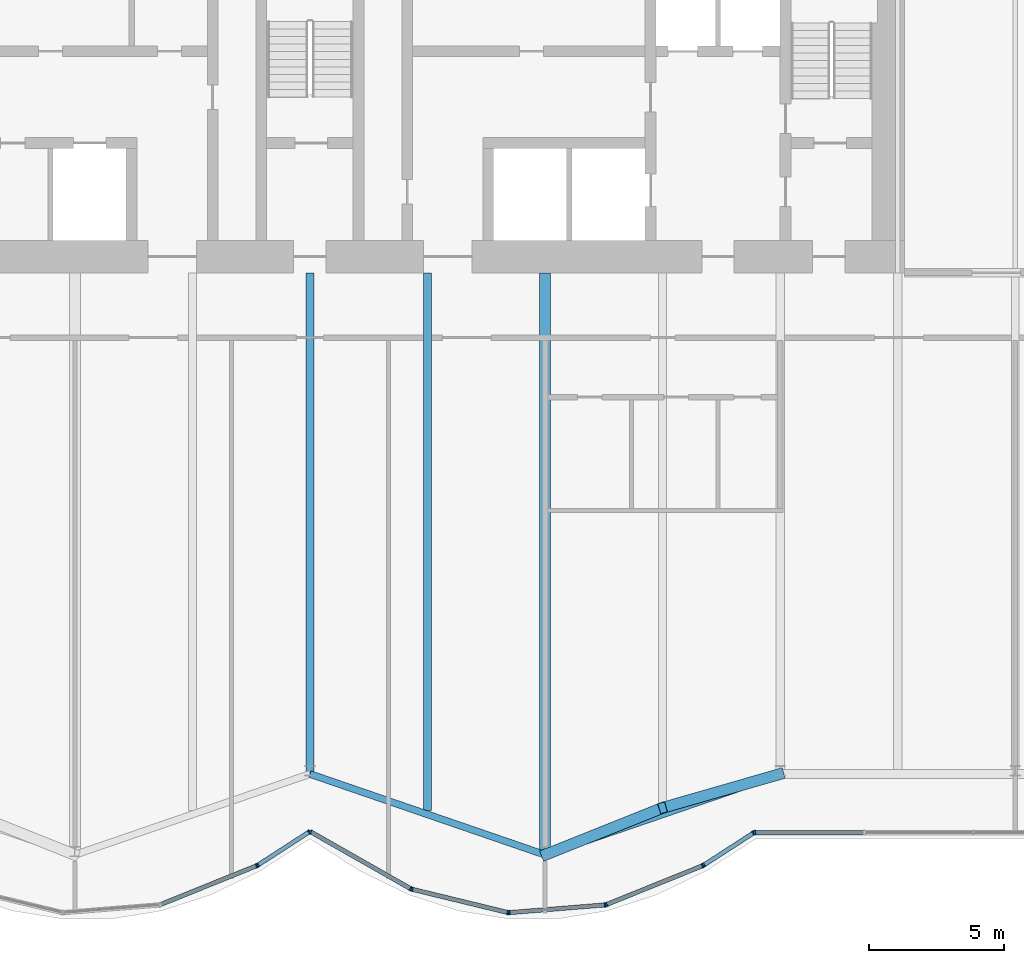
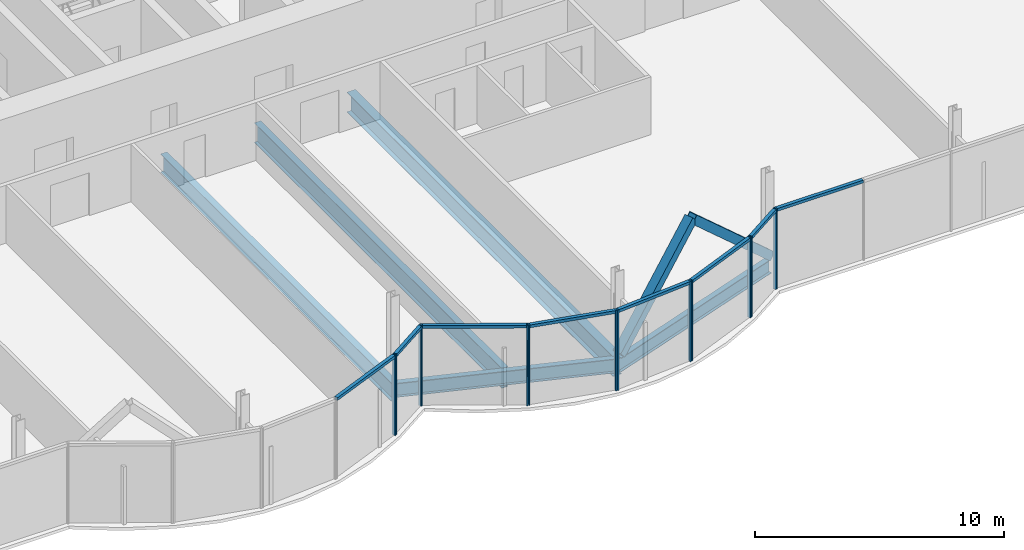
# One storey, part 8 of 20: 24 members, 5 beams, 3 elements without a shape of their own.
"""IFC4 building model written with IfcOpenShell, lengths in metres."""

import ifcopenshell
import ifcopenshell.guid

model = None  # the IFC model being written
_history = None  # IfcOwnerHistory: only IFC2X3 demands one
_inside = {}  # id of a spatial element -> (the spatial element, [elements in it])
_under = {}  # id of a project, library or spatial element -> (it, [spatial elements below it])
_declared = {}  # id of a project -> (the project, [libraries it declares])
_typed = {}  # id of a type object -> (the type object, [elements of that type])
_made_of = {}  # id of a material, layer set ... -> (it, [elements and type objects made of it])


def new_model(schema):
    """Start an empty IFC model of exactly this schema.

    Asked for "IFC4X3", IfcOpenShell would pick the latest addendum, in which some entities
    have other attributes; the version numbers below select the first issue.
    IFC2X3 requires an IfcOwnerHistory on every rooted entity: one is made here for all.
    """
    global model, _history
    if schema == "IFC4X3":
        model = ifcopenshell.file(schema_version=(4, 3, 0, 0))
    else:
        model = ifcopenshell.file(schema=schema)
    _inside.clear()
    _under.clear()
    _declared.clear()
    _typed.clear()
    _made_of.clear()
    _history = None
    if model.schema == "IFC2X3":
        org = make("IfcOrganization", Name="unknown")
        user = make(
            "IfcPersonAndOrganization",
            ThePerson=make("IfcPerson", FamilyName="unknown"),
            TheOrganization=org,
        )
        app = make(
            "IfcApplication",
            ApplicationDeveloper=org,
            Version="unknown",
            ApplicationFullName="unknown",
            ApplicationIdentifier="unknown",
        )
        _history = make(
            "IfcOwnerHistory",
            OwningUser=user,
            OwningApplication=app,
            ChangeAction="ADDED",
            CreationDate=0,
        )
    return model


def make(cls, **values):
    """One entity of the class cls with the attributes given. An attribute that is None is left unset."""
    return model.create_entity(
        cls, **{name: value for name, value in values.items() if value is not None}
    )


def rooted(cls, **values):
    """An entity with a GlobalId (a new one), such as an element, a storey or a relation."""
    return make(cls, GlobalId=ifcopenshell.guid.new(), OwnerHistory=_history, **values)


def si_unit(unit_type, name, prefix=None):
    """IfcSIUnit, for example si_unit("LENGTHUNIT", "METRE", prefix="MILLI")."""
    return make("IfcSIUnit", UnitType=unit_type, Prefix=prefix, Name=name)


def assignment(units):
    """IfcUnitAssignment: the units of a project."""
    return None if units is None else make("IfcUnitAssignment", Units=units)


def point(xyz):
    """IfcCartesianPoint."""
    return None if xyz is None else make("IfcCartesianPoint", Coordinates=xyz)


def direction(xyz):
    """IfcDirection."""
    return None if xyz is None else make("IfcDirection", DirectionRatios=xyz)


def frame(location, z_axis=None, x_axis=None):
    """IfcAxis2Placement3D, a coordinate frame: its origin and axes. An axis left out is left unset."""
    return make(
        "IfcAxis2Placement3D",
        Location=point(location),
        Axis=direction(z_axis),
        RefDirection=direction(x_axis),
    )


def frame_2d(location, x_axis=None):
    """IfcAxis2Placement2D, a coordinate frame in the plane: its origin and x axis."""
    return make(
        "IfcAxis2Placement2D", Location=point(location), RefDirection=direction(x_axis)
    )


def origin():
    """The frame at (0, 0, 0) with its axes left unset."""
    return frame((0.0, 0.0, 0.0))


def origin_2d():
    """The frame at (0, 0) in the plane with its x axis left unset."""
    return frame_2d((0.0, 0.0))


def place(relative_to, where):
    """IfcLocalPlacement: puts the frame where relative to a parent placement (None: the world)."""
    return make(
        "IfcLocalPlacement", PlacementRelTo=relative_to, RelativePlacement=where
    )


def context(
    kind, dimensions, precision=None, world=None, true_north=None, identifier=None
):
    """IfcGeometricRepresentationContext, for example the 3D "Model" context."""
    return make(
        "IfcGeometricRepresentationContext",
        ContextIdentifier=identifier,
        ContextType=kind,
        CoordinateSpaceDimension=dimensions,
        Precision=precision,
        WorldCoordinateSystem=world,
        TrueNorth=true_north,
    )


def subcontext(parent, identifier, kind, view, scale=None):
    """IfcGeometricRepresentationSubContext, for example "Body" below "Model"."""
    return make(
        "IfcGeometricRepresentationSubContext",
        ContextIdentifier=identifier,
        ContextType=kind,
        ParentContext=parent,
        TargetScale=scale,
        TargetView=view,
    )


def project(units=None, contexts=None):
    """IfcProject with its units and contexts."""
    return rooted(
        "IfcProject",
        Name="project",
        RepresentationContexts=contexts,
        UnitsInContext=assignment(units),
    )


def spatial(cls, under=None, at=None, **own):
    """A site, building, storey or space (cls), placed at a placement, below another one or the project."""
    s = rooted(cls, ObjectPlacement=at, **own)
    if under is not None:
        _under.setdefault(under.id(), (under, []))[1].append(s)
    return s


def profile(cls, at=None, kind="AREA", **sizes):
    """A parametric profile (cls). Its sizes go by their IFC names, for example OverallWidth=200.0."""
    return make(cls, ProfileType=kind, Position=at, **sizes)


def rectangle(**sizes):
    """IfcRectangleProfileDef."""
    return profile("IfcRectangleProfileDef", **sizes)


def hollow_rectangle(**sizes):
    """IfcRectangleHollowProfileDef."""
    return profile("IfcRectangleHollowProfileDef", **sizes)


def i_section(**sizes):
    """IfcIShapeProfileDef."""
    return profile("IfcIShapeProfileDef", **sizes)


def extrude(swept, where, along, depth):
    """IfcExtrudedAreaSolid: the profile swept, set in the frame where, extruded along a direction by depth."""
    return make(
        "IfcExtrudedAreaSolid",
        SweptArea=swept,
        Position=where,
        ExtrudedDirection=direction(along),
        Depth=depth,
    )


def shape(context_of_items, identifier, shape_type, items):
    """IfcShapeRepresentation: the items that make up one representation, for example the "Body"."""
    return make(
        "IfcShapeRepresentation",
        ContextOfItems=context_of_items,
        RepresentationIdentifier=identifier,
        RepresentationType=shape_type,
        Items=items,
    )


def material(Name=None, Category=None):
    """IfcMaterial."""
    return make("IfcMaterial", Name=Name, Category=Category)


def material_profile(
    of_material, cross_section, Name=None, Category=None, Priority=None
):
    """IfcMaterialProfile: a cross section and its material."""
    return make(
        "IfcMaterialProfile",
        Name=Name,
        Material=of_material,
        Profile=cross_section,
        Priority=Priority,
        Category=Category,
    )


def profile_set(profiles, Name=None, composite=None):
    """IfcMaterialProfileSet."""
    return make(
        "IfcMaterialProfileSet",
        Name=Name,
        MaterialProfiles=profiles,
        CompositeProfile=composite,
    )


def made_of(thing, what):
    """Note that an element or type object is made of a material, layer set ...; save() writes the relation."""
    if what is not None:
        _made_of.setdefault(what.id(), (what, []))[1].append(thing)
    return thing


def type_object(cls, material=None, **own):
    """A type object (cls), such as IfcWallType, which elements share."""
    return made_of(rooted(cls, **own), material)


def element(
    cls,
    number,
    at=None,
    inside=None,
    cuts=None,
    type_object=None,
    material=None,
    context=None,
    identifier="Body",
    shape_type=None,
    held_by="IfcProductDefinitionShape",
    body=None,
    shapes=None,
    **own,
):
    """One element of the class cls, such as IfcWall. Its Tag is "e" and its number.

    at: its placement. inside: the storey or other place that contains it. cuts: it is an
    opening in that element (IfcRelVoidsElement). A single representation is given by context,
    identifier, shape_type and body (its items); several are given by shapes. held_by: the class
    of the entity that holds the representations. save() writes the other relations.
    """
    e = rooted(cls, Tag="e%d" % number, ObjectPlacement=at, **own)
    if body is not None:
        shapes = [shape(context, identifier, shape_type, body)]
    if shapes is not None:
        e.Representation = make(held_by, Representations=shapes)
    if inside is not None:
        _inside.setdefault(inside.id(), (inside, []))[1].append(e)
    if cuts is not None:
        rooted(
            "IfcRelVoidsElement", RelatingBuildingElement=cuts, RelatedOpeningElement=e
        )
    if type_object is not None:
        _typed.setdefault(type_object.id(), (type_object, []))[1].append(e)
    return made_of(e, material)


def aggregate(whole, parts):
    """IfcRelAggregates: a whole, such as a stair, and the parts it consists of."""
    return rooted("IfcRelAggregates", RelatingObject=whole, RelatedObjects=parts)


def save(model, path):
    """Write the relations noted so far, then the file.

    IfcRelAggregates (storeys below a building ...), IfcRelContainedInSpatialStructure (elements
    in a storey), IfcRelDefinesByType, IfcRelAssociatesMaterial and IfcRelDeclares: one each for
    every whole, place, type object, material and project.
    """
    for whole, parts in _under.values():
        aggregate(whole, parts)
    for where, things in _inside.values():
        rooted(
            "IfcRelContainedInSpatialStructure",
            RelatedElements=things,
            RelatingStructure=where,
        )
    for kind, things in _typed.values():
        rooted("IfcRelDefinesByType", RelatedObjects=things, RelatingType=kind)
    for what, things in _made_of.values():
        rooted("IfcRelAssociatesMaterial", RelatedObjects=things, RelatingMaterial=what)
    for by, libraries in _declared.values():
        rooted("IfcRelDeclares", RelatingContext=by, RelatedDefinitions=libraries)
    model.write(path)


model = new_model("IFC4")

# Units and contexts
model_context = context("Model", 3, precision=1e-05, world=origin(), true_north=direction((0.0, 1.0)))
body_context = subcontext(model_context, "Body", "Model", "MODEL_VIEW")
ifc_project = project(units=[si_unit("LENGTHUNIT", "METRE"), si_unit("AREAUNIT", "SQUARE_METRE"), si_unit("VOLUMEUNIT", "CUBIC_METRE"), si_unit("PLANEANGLEUNIT", "RADIAN"), si_unit("MASSUNIT", "GRAM", prefix="KILO")], contexts=[model_context])

# Site, building, storey
site_placement = place(None, origin())
site = spatial("IfcSite", under=ifc_project, at=site_placement, CompositionType="ELEMENT")
building_placement = place(site_placement, origin())
building = spatial("IfcBuilding", under=site, at=building_placement, Name="Bicima Exchange Tower", CompositionType="ELEMENT")
storey_placement = place(building_placement, frame((0.0, 0.0, 177.300048828125)))
storey = spatial("IfcBuildingStorey", under=building, at=storey_placement, Name="L39", CompositionType="ELEMENT", Elevation=177.300048828125)

# Beams
ifc_material_1 = material(Name="Steel ASTM A992 Gr 50", Category="steel")
ifc_material_profile_1 = material_profile(ifc_material_1, i_section(OverallWidth=0.3046875, OverallDepth=0.904296875, WebThickness=0.01513671875, FlangeThickness=0.02001953125, at=origin_2d()))
ifc_profile_set_1 = profile_set([ifc_material_profile_1], Name="Steel ASTM A992 Gr 50")
beam_type_1 = type_object("IfcBeamType", Name="Floor beam W36x135", PredefinedType="JOIST", material=ifc_profile_set_1)
beam_1_placement = place(storey_placement, frame((0.0, -13.0, -0.60205078125), z_axis=(0.0, -1.0, 0.0), x_axis=(1.0, 0.0, 0.0)))
element("IfcBeam", 1, at=beam_1_placement, inside=storey, type_object=beam_type_1, Name="Floor beam", PredefinedType="JOIST", context=body_context, shape_type="SweptSolid", body=[
    extrude(i_section(OverallWidth=0.3046875, OverallDepth=0.904296875, WebThickness=0.01513671875, FlangeThickness=0.02001953125, at=origin_2d()), origin(), (0.0, 0.0, 1.0), 18.548095703125),
])
ifc_material_profile_2 = material_profile(ifc_material_1, i_section(OverallWidth=0.2998046875, OverallDepth=0.97021484375, WebThickness=0.01611328125, FlangeThickness=0.02099609375, at=origin_2d()))
ifc_profile_set_2 = profile_set([ifc_material_profile_2], Name="Steel ASTM A992 Gr 50")
beam_type_2 = type_object("IfcBeamType", Name="Floor beam W40x149", PredefinedType="JOIST", material=ifc_profile_set_2)
beam_2_placement = place(storey_placement, frame((4.35009765625, -13.0, -0.63525390625), z_axis=(0.0, -1.0, 0.0), x_axis=(1.0, 0.0, 0.0)))
element("IfcBeam", 2, at=beam_2_placement, inside=storey, type_object=beam_type_2, Name="Floor beam", PredefinedType="JOIST", context=body_context, shape_type="SweptSolid", body=[
    extrude(i_section(OverallWidth=0.2998046875, OverallDepth=0.97021484375, WebThickness=0.01611328125, FlangeThickness=0.02099609375, at=origin_2d()), origin(), (0.0, 0.0, 1.0), 19.907958984375),
])
ifc_material_profile_3 = material_profile(ifc_material_1, i_section(OverallWidth=0.4013671875, OverallDepth=0.990478515625, WebThickness=0.0166015625, FlangeThickness=0.031005859375, at=origin_2d()))
ifc_profile_set_3 = profile_set([ifc_material_profile_3], Name="Steel ASTM A992 Gr 50")
beam_type_3 = type_object("IfcBeamType", Name="Floor beam W40x215", PredefinedType="JOIST", material=ifc_profile_set_3)
beam_3_placement = place(storey_placement, frame((8.699951171875, -13.0, -0.645263671875), z_axis=(0.0, -1.0, 0.0), x_axis=(1.0, 0.0, 0.0)))
element("IfcBeam", 3, at=beam_3_placement, inside=storey, type_object=beam_type_3, Name="Floor beam", PredefinedType="JOIST", context=body_context, shape_type="SweptSolid", body=[
    extrude(i_section(OverallWidth=0.4013671875, OverallDepth=0.990478515625, WebThickness=0.0166015625, FlangeThickness=0.031005859375, at=origin_2d()), origin(), (0.0, 0.0, 1.0), 21.4033203125),
])
ifc_material_profile_4 = material_profile(ifc_material_1, i_section(OverallWidth=0.256591796875, OverallDepth=0.693359375, WebThickness=0.014404296875, FlangeThickness=0.023681640625, at=origin_2d()))
ifc_profile_set_4 = profile_set([ifc_material_profile_4], Name="Steel ASTM A992 Gr 50")
beam_type_4 = type_object("IfcBeamType", Name="Front girder W27x114", PredefinedType="BEAM", material=ifc_profile_set_4)
for number, where, z_axis, x_axis, name in (
    (4, (0.0, -31.548095703125, -0.496826171875), (0.945674616091, -0.32511462668, 0.0), (0.32511462668, 0.945674616091, 0.0), "Front girder"),
    (5, (8.699951171875, -34.5390625, -0.496826171875), (0.945674616091, 0.32511462668, 0.0), (-0.32511462668, 0.945674616091, 0.0), "Front girder"),
):
    element("IfcBeam", number, at=place(storey_placement, frame(where, z_axis=z_axis, x_axis=x_axis)), inside=storey, type_object=beam_type_4, Name=name, PredefinedType="BEAM", context=body_context, shape_type="SweptSolid", body=[
        extrude(i_section(OverallWidth=0.256591796875, OverallDepth=0.693359375, WebThickness=0.014404296875, FlangeThickness=0.023681640625, at=origin_2d()), origin(), (0.0, 0.0, 1.0), 9.19970703125),
    ])

# Curtain wall, members
ifc_material_2 = material(Name="Anodised bronze aluminium", Category="aluminium")
curtain_wall_type = type_object("IfcCurtainWallType", Name="Front glass wall", PredefinedType="NOTDEFINED", material=ifc_material_2)
curtain_wall_1_placement = place(storey_placement, origin())
curtain_wall_1 = element("IfcCurtainWall", 6, at=curtain_wall_1_placement, inside=storey, type_object=curtain_wall_type, Name="Front glass wall L39 run 6", PredefinedType="NOTDEFINED")
ifc_material_profile_5 = material_profile(ifc_material_2, rectangle(XDim=0.159912109375, YDim=0.06005859375, at=origin_2d()))
ifc_profile_set_5 = profile_set([ifc_material_profile_5], Name="Anodised bronze aluminium")
member_type_1 = type_object("IfcMemberType", Name="Front glass wall mullion 60 x 160", PredefinedType="MULLION", material=ifc_profile_set_5)
member_1_placement = place(storey_placement, frame((-1.97412109375, -34.943603515625, 0.0), z_axis=(0.0, 0.0, 1.0), x_axis=(-0.374705304, 0.92714396679, 0.0)))
member_1 = element("IfcMember", 7, at=member_1_placement, type_object=member_type_1, Name="Front glass wall mullion 2", PredefinedType="MULLION", context=body_context, shape_type="SweptSolid", body=[
    extrude(rectangle(XDim=0.159912109375, YDim=0.06005859375, at=origin_2d()), origin(), (0.0, 0.0, 1.0), 3.949951171875),
])
member_2_placement = place(storey_placement, frame((-1.921142578125, -34.916015625, 0.0), z_axis=(0.0, 0.0, 1.0), x_axis=(-0.542897457326, 0.839798994301, 0.0)))
member_2 = element("IfcMember", 8, at=member_2_placement, type_object=member_type_1, Name="Front glass wall mullion 1", PredefinedType="MULLION", context=body_context, shape_type="SweptSolid", body=[
    extrude(rectangle(XDim=0.159912109375, YDim=0.06005859375, at=origin_2d()), origin(), (0.0, 0.0, 1.0), 3.949951171875),
])
member_3_placement = place(storey_placement, frame((-0.025146484375, -33.6904296875, 0.0), z_axis=(0.0, 0.0, 1.0), x_axis=(-0.542897457326, 0.839798994301, 0.0)))
member_3 = element("IfcMember", 9, at=member_3_placement, type_object=member_type_1, Name="Front glass wall mullion 2", PredefinedType="MULLION", context=body_context, shape_type="SweptSolid", body=[
    extrude(rectangle(XDim=0.159912109375, YDim=0.06005859375, at=origin_2d()), origin(), (0.0, 0.0, 1.0), 3.949951171875),
])

curtain_wall_2_placement = place(storey_placement, origin())
curtain_wall_2 = element("IfcCurtainWall", 10, at=curtain_wall_2_placement, inside=storey, type_object=curtain_wall_type, Name="Front glass wall L39 run 11", PredefinedType="NOTDEFINED")
member_4_placement = place(storey_placement, frame((0.026123046875, -33.68896484375, 0.0), z_axis=(0.0, 0.0, 1.0), x_axis=(0.494330311331, 0.869274147378, 0.0)))
member_4 = element("IfcMember", 11, at=member_4_placement, type_object=member_type_1, Name="Front glass wall mullion 1", PredefinedType="MULLION", context=body_context, shape_type="SweptSolid", body=[
    extrude(rectangle(XDim=0.159912109375, YDim=0.06005859375, at=origin_2d()), origin(), (0.0, 0.0, 1.0), 3.949951171875),
])
member_5_placement = place(storey_placement, frame((3.7265625, -35.79345703125, 0.0), z_axis=(0.0, 0.0, 1.0), x_axis=(0.494330311331, 0.869274147378, 0.0)))
member_5 = element("IfcMember", 12, at=member_5_placement, type_object=member_type_1, Name="Front glass wall mullion 2", PredefinedType="MULLION", context=body_context, shape_type="SweptSolid", body=[
    extrude(rectangle(XDim=0.159912109375, YDim=0.06005859375, at=origin_2d()), origin(), (0.0, 0.0, 1.0), 3.949951171875),
])
member_6_placement = place(storey_placement, frame((3.781982421875, -35.815185546875, 0.0), z_axis=(0.0, 0.0, 1.0), x_axis=(0.235681529503, 0.971830343553, 0.0)))
member_6 = element("IfcMember", 13, at=member_6_placement, type_object=member_type_1, Name="Front glass wall mullion 1", PredefinedType="MULLION", context=body_context, shape_type="SweptSolid", body=[
    extrude(rectangle(XDim=0.159912109375, YDim=0.06005859375, at=origin_2d()), origin(), (0.0, 0.0, 1.0), 3.949951171875),
])
member_7_placement = place(storey_placement, frame((7.322509765625, -36.673828125, 0.0), z_axis=(0.0, 0.0, 1.0), x_axis=(0.235681529503, 0.971830343553, 0.0)))
member_7 = element("IfcMember", 14, at=member_7_placement, type_object=member_type_1, Name="Front glass wall mullion 2", PredefinedType="MULLION", context=body_context, shape_type="SweptSolid", body=[
    extrude(rectangle(XDim=0.159912109375, YDim=0.06005859375, at=origin_2d()), origin(), (0.0, 0.0, 1.0), 3.949951171875),
])
member_8_placement = place(storey_placement, frame((7.381591796875, -36.6787109375, 0.0), z_axis=(0.0, 0.0, 1.0), x_axis=(-0.080588612633, 0.99674744821, 0.0)))
member_8 = element("IfcMember", 15, at=member_8_placement, type_object=member_type_1, Name="Front glass wall mullion 1", PredefinedType="MULLION", context=body_context, shape_type="SweptSolid", body=[
    extrude(rectangle(XDim=0.159912109375, YDim=0.06005859375, at=origin_2d()), origin(), (0.0, 0.0, 1.0), 3.949951171875),
])
member_9_placement = place(storey_placement, frame((10.916015625, -36.392822265625, 0.0), z_axis=(0.0, 0.0, 1.0), x_axis=(-0.080588612633, 0.99674744821, 0.0)))
member_9 = element("IfcMember", 16, at=member_9_placement, type_object=member_type_1, Name="Front glass wall mullion 2", PredefinedType="MULLION", context=body_context, shape_type="SweptSolid", body=[
    extrude(rectangle(XDim=0.159912109375, YDim=0.06005859375, at=origin_2d()), origin(), (0.0, 0.0, 1.0), 3.949951171875),
])
member_10_placement = place(storey_placement, frame((10.973876953125, -36.379150390625, 0.0), z_axis=(0.0, 0.0, 1.0), x_axis=(-0.374705304, 0.92714396679, 0.0)))
member_10 = element("IfcMember", 17, at=member_10_placement, type_object=member_type_1, Name="Front glass wall mullion 1", PredefinedType="MULLION", context=body_context, shape_type="SweptSolid", body=[
    extrude(rectangle(XDim=0.159912109375, YDim=0.06005859375, at=origin_2d()), origin(), (0.0, 0.0, 1.0), 3.949951171875),
])
member_11_placement = place(storey_placement, frame((14.52587890625, -34.943603515625, 0.0), z_axis=(0.0, 0.0, 1.0), x_axis=(-0.374705304, 0.92714396679, 0.0)))
member_11 = element("IfcMember", 18, at=member_11_placement, type_object=member_type_1, Name="Front glass wall mullion 2", PredefinedType="MULLION", context=body_context, shape_type="SweptSolid", body=[
    extrude(rectangle(XDim=0.159912109375, YDim=0.06005859375, at=origin_2d()), origin(), (0.0, 0.0, 1.0), 3.949951171875),
])
member_12_placement = place(storey_placement, frame((14.578857421875, -34.916015625, 0.0), z_axis=(0.0, 0.0, 1.0), x_axis=(-0.542909183079, 0.839791413941, 0.0)))
member_12 = element("IfcMember", 19, at=member_12_placement, type_object=member_type_1, Name="Front glass wall mullion 1", PredefinedType="MULLION", context=body_context, shape_type="SweptSolid", body=[
    extrude(rectangle(XDim=0.159912109375, YDim=0.06005859375, at=origin_2d()), origin(), (0.0, 0.0, 1.0), 3.949951171875),
])
member_13_placement = place(storey_placement, frame((16.406982421875, -33.734375, 0.0), z_axis=(0.0, 0.0, 1.0), x_axis=(-0.542909183079, 0.839791413941, 0.0)))
member_13 = element("IfcMember", 20, at=member_13_placement, type_object=member_type_1, Name="Front glass wall mullion 2", PredefinedType="MULLION", context=body_context, shape_type="SweptSolid", body=[
    extrude(rectangle(XDim=0.159912109375, YDim=0.06005859375, at=origin_2d()), origin(), (0.0, 0.0, 1.0), 3.949951171875),
])

# Curtain wall, member
curtain_wall_3_placement = place(storey_placement, origin())
curtain_wall_3 = element("IfcCurtainWall", 21, at=curtain_wall_3_placement, inside=storey, type_object=curtain_wall_type, Name="Front glass wall L39 run 16", PredefinedType="NOTDEFINED")
member_14_placement = place(storey_placement, frame((16.462158203125, -33.718017578125, 0.0), z_axis=(0.0, 0.0, 1.0), x_axis=(0.0, 1.0, 0.0)))
member_14 = element("IfcMember", 22, at=member_14_placement, type_object=member_type_1, Name="Front glass wall mullion 1", PredefinedType="MULLION", context=body_context, shape_type="SweptSolid", body=[
    extrude(rectangle(XDim=0.159912109375, YDim=0.06005859375, at=origin_2d()), origin(), (0.0, 0.0, 1.0), 3.949951171875),
])

# Member
ifc_material_profile_6 = material_profile(ifc_material_2, rectangle(XDim=0.159912109375, YDim=0.139892578125, at=origin_2d()))
ifc_profile_set_6 = profile_set([ifc_material_profile_6], Name="Anodised bronze aluminium")
member_type_2 = type_object("IfcMemberType", Name="Front glass wall transom 140 x 160", PredefinedType="USERDEFINED", material=ifc_profile_set_6)
member_15_placement = place(storey_placement, frame((-5.498291015625, -36.367919921875, 3.8798828125), z_axis=(0.927140215882, 0.374714584842, 0.0), x_axis=(-0.374714584842, 0.927140215882, 0.0)))
member_15 = element("IfcMember", 23, at=member_15_placement, type_object=member_type_2, Name="Front glass wall transom 1.1", ObjectType="TRANSOM", PredefinedType="USERDEFINED", context=body_context, shape_type="SweptSolid", body=[
    extrude(rectangle(XDim=0.159912109375, YDim=0.139892578125, at=origin_2d()), origin(), (0.0, 0.0, 1.0), 3.77099609375),
])

member_16_placement = place(storey_placement, frame((-1.89599609375, -34.89990234375, 3.8798828125), z_axis=(0.839811483481, 0.542878137536, 0.0), x_axis=(-0.542878137536, 0.839811483481, 0.0)))
member_16 = element("IfcMember", 24, at=member_16_placement, type_object=member_type_2, Name="Front glass wall transom 1.1", ObjectType="TRANSOM", PredefinedType="USERDEFINED", context=body_context, shape_type="SweptSolid", body=[
    extrude(rectangle(XDim=0.159912109375, YDim=0.139892578125, at=origin_2d()), origin(), (0.0, 0.0, 1.0), 2.19775390625),
])

aggregate(curtain_wall_1, [member_1, member_15, member_2, member_3, member_16])

member_17_placement = place(storey_placement, frame((0.05224609375, -33.703857421875, 3.8798828125), z_axis=(0.869265121745, -0.494346182466, 0.0), x_axis=(0.494346182466, 0.869265121745, 0.0)))
member_17 = element("IfcMember", 25, at=member_17_placement, type_object=member_type_2, Name="Front glass wall transom 1.1", ObjectType="TRANSOM", PredefinedType="USERDEFINED", context=body_context, shape_type="SweptSolid", body=[
    extrude(rectangle(XDim=0.159912109375, YDim=0.139892578125, at=origin_2d()), origin(), (0.0, 0.0, 1.0), 4.19677734375),
])

member_18_placement = place(storey_placement, frame((3.81103515625, -35.822265625, 3.8798828125), z_axis=(0.971817951661, -0.235732621477, 0.0), x_axis=(0.235732621477, 0.971817951661, 0.0)))
member_18 = element("IfcMember", 26, at=member_18_placement, type_object=member_type_2, Name="Front glass wall transom 1.1", ObjectType="TRANSOM", PredefinedType="USERDEFINED", context=body_context, shape_type="SweptSolid", body=[
    extrude(rectangle(XDim=0.159912109375, YDim=0.139892578125, at=origin_2d()), origin(), (0.0, 0.0, 1.0), 3.58349609375),
])

member_19_placement = place(storey_placement, frame((7.41162109375, -36.67626953125, 3.8798828125), z_axis=(0.9967456465, 0.080610893699, 0.0), x_axis=(-0.080610893699, 0.9967456465, 0.0)))
member_19 = element("IfcMember", 27, at=member_19_placement, type_object=member_type_2, Name="Front glass wall transom 1.1", ObjectType="TRANSOM", PredefinedType="USERDEFINED", context=body_context, shape_type="SweptSolid", body=[
    extrude(rectangle(XDim=0.159912109375, YDim=0.139892578125, at=origin_2d()), origin(), (0.0, 0.0, 1.0), 3.48583984375),
])

member_20_placement = place(storey_placement, frame((11.001708984375, -36.367919921875, 3.8798828125), z_axis=(0.927140215882, 0.374714584842, 0.0), x_axis=(-0.374714584842, 0.927140215882, 0.0)))
member_20 = element("IfcMember", 28, at=member_20_placement, type_object=member_type_2, Name="Front glass wall transom 1.1", ObjectType="TRANSOM", PredefinedType="USERDEFINED", context=body_context, shape_type="SweptSolid", body=[
    extrude(rectangle(XDim=0.159912109375, YDim=0.139892578125, at=origin_2d()), origin(), (0.0, 0.0, 1.0), 3.77099609375),
])

member_21_placement = place(storey_placement, frame((14.60400390625, -34.89990234375, 3.8798828125), z_axis=(0.839740302602, 0.542988235771, 0.0), x_axis=(-0.542988235771, 0.839740302602, 0.0)))
member_21 = element("IfcMember", 29, at=member_21_placement, type_object=member_type_2, Name="Front glass wall transom 1.1", ObjectType="TRANSOM", PredefinedType="USERDEFINED", context=body_context, shape_type="SweptSolid", body=[
    extrude(rectangle(XDim=0.159912109375, YDim=0.139892578125, at=origin_2d()), origin(), (0.0, 0.0, 1.0), 2.116943359375),
])

aggregate(curtain_wall_2, [member_4, member_5, member_17, member_6, member_7, member_18, member_8, member_9, member_19, member_10, member_11, member_20, member_12, member_13, member_21])

member_22_placement = place(storey_placement, frame((16.4921875, -33.718017578125, 3.8798828125), z_axis=(1.0, 0.0, 0.0), x_axis=(0.0, 1.0, 0.0)))
member_22 = element("IfcMember", 30, at=member_22_placement, type_object=member_type_2, Name="Front glass wall transom 1.1", ObjectType="TRANSOM", PredefinedType="USERDEFINED", context=body_context, shape_type="SweptSolid", body=[
    extrude(rectangle(XDim=0.159912109375, YDim=0.139892578125, at=origin_2d()), origin(), (0.0, 0.0, 1.0), 3.989501953125),
])

aggregate(curtain_wall_3, [member_14, member_22])

# Members
ifc_material_3 = material(Name="Steel ASTM A572 Gr 50", Category="steel")
ifc_material_profile_7 = material_profile(ifc_material_3, hollow_rectangle(XDim=0.406494140625, YDim=0.406494140625, WallThickness=0.017822265625, at=origin_2d()))
ifc_profile_set_7 = profile_set([ifc_material_profile_7], Name="Steel ASTM A572 Gr 50")
member_type_3 = type_object("IfcMemberType", Name="Mega brace HSS16x16x3/4", PredefinedType="BRACE", material=ifc_profile_set_7)
member_23_placement = place(storey_placement, frame((8.699951171875, -34.5390625, 0.0), z_axis=(0.698744239452, 0.279411421377, 0.658548210412), x_axis=(-0.371291842786, 0.928516218211, 0.0)))
element("IfcMember", 31, at=member_23_placement, inside=storey, type_object=member_type_3, Name="Mega brace front", PredefinedType="BRACE", context=body_context, shape_type="SweptSolid", body=[
    extrude(hollow_rectangle(XDim=0.406494140625, YDim=0.406494140625, WallThickness=0.017822265625, at=origin_2d()), origin(), (0.0, 0.0, 1.0), 6.2255859375),
])
member_24_placement = place(storey_placement, frame((17.39990234375, -31.548095703125, 0.0), z_axis=(-0.71226631392, -0.204920981375, 0.671330089783), x_axis=(0.27648739579, -0.961017544049, 0.0)))
element("IfcMember", 32, at=member_24_placement, inside=storey, type_object=member_type_3, Name="Mega brace front", PredefinedType="BRACE", context=body_context, shape_type="SweptSolid", body=[
    extrude(hollow_rectangle(XDim=0.406494140625, YDim=0.406494140625, WallThickness=0.017822265625, at=origin_2d()), origin(), (0.0, 0.0, 1.0), 6.107177734375),
])

save(model, "model.ifc")
